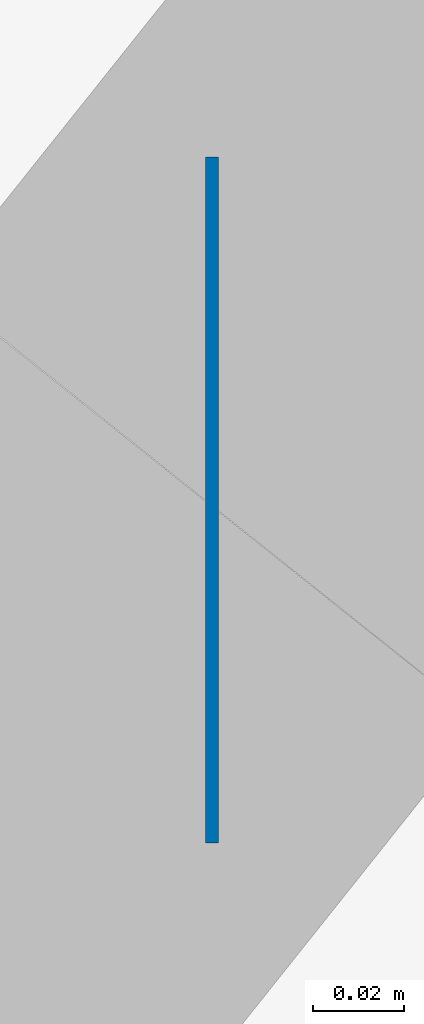
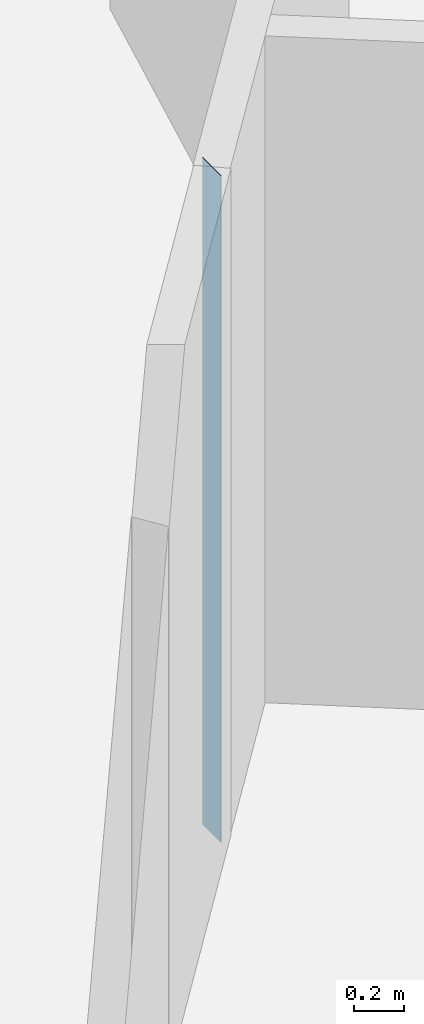
# One storey, part 4 of 12: 1 wall.
"""IFC4 building model written with IfcOpenShell, lengths in metres."""

from ifc_helpers import new_model, si_unit, direction, frame, frame_2d, origin, place, context, subcontext, project, spatial, rectangle, extrude, material, layer, layer_set, type_object, element, save


model = new_model("IFC4")

# Units and contexts
model_context = context("Model", 3, precision=1e-05, world=origin(), true_north=direction((0.0, 1.0)))
body_context = subcontext(model_context, "Body", "Model", "MODEL_VIEW")
ifc_project = project(units=[si_unit("LENGTHUNIT", "METRE"), si_unit("AREAUNIT", "SQUARE_METRE"), si_unit("VOLUMEUNIT", "CUBIC_METRE"), si_unit("PLANEANGLEUNIT", "RADIAN"), si_unit("MASSUNIT", "GRAM", prefix="KILO")], contexts=[model_context])

# Site, building, storey
site_placement = place(None, origin())
site = spatial("IfcSite", under=ifc_project, at=site_placement, CompositionType="ELEMENT")
building_placement = place(site_placement, origin())
building = spatial("IfcBuilding", under=site, at=building_placement, Name="Tracery Tower", CompositionType="ELEMENT")
storey_placement = place(building_placement, frame((0.0, 0.0, 305.39990234375)))
storey = spatial("IfcBuildingStorey", under=building, at=storey_placement, Name="L79", CompositionType="ELEMENT", Elevation=305.39990234375)

# Wall
ifc_material = material(Name="Plasterboard on steel studs", Category="steel")
ifc_layer = layer(ifc_material, 0.14990234375)
ifc_layer_set = layer_set([ifc_layer], Name="Partition 150 corridor wall")
wall_type = type_object("IfcWallType", Name="Partition 150 corridor wall", PredefinedType="PARTITIONING", material=ifc_layer_set)
wall_placement = place(storey_placement, frame((11.136962890625, -8.800048828125, 0.0), z_axis=(0.0, 0.0, 1.0), x_axis=(-1.0, 0.0, 0.0)))
element("IfcWall", 1, at=wall_placement, inside=storey, type_object=wall_type, Name="Corridor wall RC8-018", PredefinedType="PARTITIONING", context=body_context, shape_type="SweptSolid", body=[
    extrude(rectangle(XDim=0.0029296875, YDim=0.14990234375, at=frame_2d((0.00146484375, 0.0))), origin(), (0.0, 0.0, 1.0), 3.25),
])

save(model, "model.ifc")
